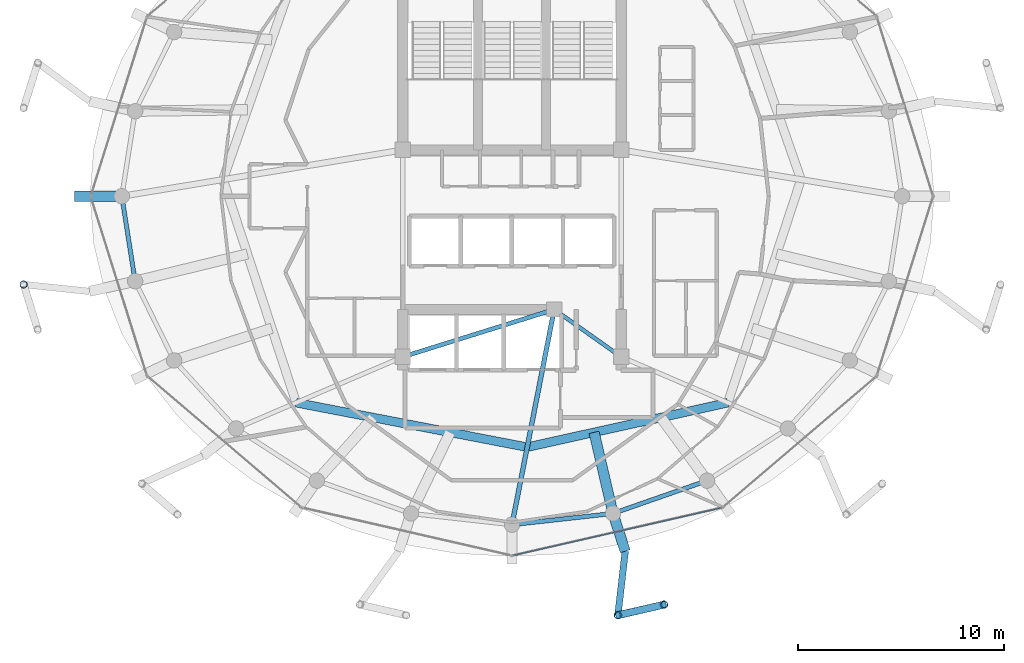
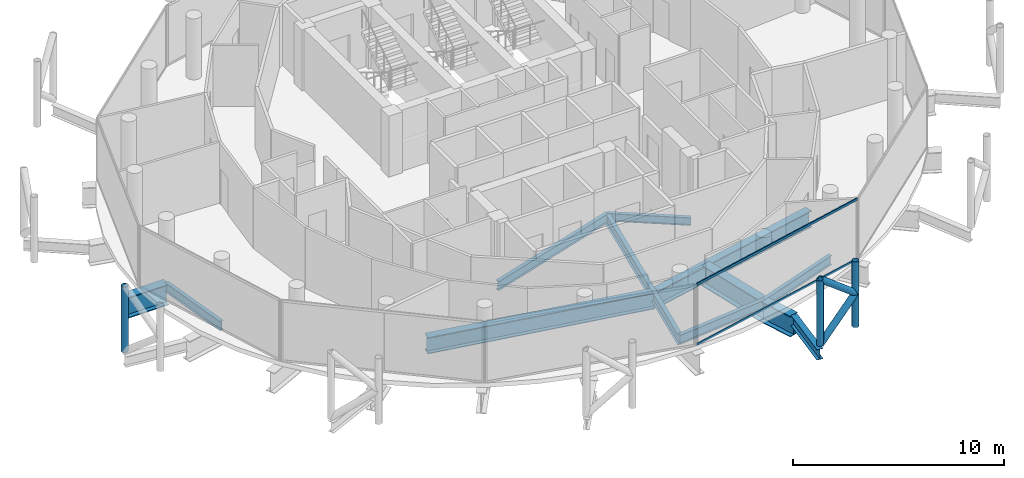
# One storey, part 5 of 25: 12 beams, 7 members, 1 element without a shape of its own.
"""IFC4 building model written with IfcOpenShell, lengths in metres."""

from ifc_helpers import new_model, si_unit, direction, frame, origin, origin_2d, place, context, subcontext, project, spatial, hollow_rectangle, hollow_circle, i_section, extrude, material, layer, layer_set, material_profile, profile_set, type_object, element, aggregate, save


model = new_model("IFC4")

# Units and contexts
model_context = context("Model", 3, precision=1e-05, world=origin(), true_north=direction((0.0, 1.0)))
body_context = subcontext(model_context, "Body", "Model", "MODEL_VIEW")
ifc_project = project(units=[si_unit("LENGTHUNIT", "METRE"), si_unit("AREAUNIT", "SQUARE_METRE"), si_unit("VOLUMEUNIT", "CUBIC_METRE"), si_unit("PLANEANGLEUNIT", "RADIAN"), si_unit("MASSUNIT", "GRAM", prefix="KILO")], contexts=[model_context])

# Site, building, storey
site_placement = place(None, origin())
site = spatial("IfcSite", under=ifc_project, at=site_placement, CompositionType="ELEMENT")
building_placement = place(site_placement, origin())
building = spatial("IfcBuilding", under=site, at=building_placement, Name="Nuhasar Tower", CompositionType="ELEMENT")
storey_placement = place(building_placement, frame((0.0, 0.0, 255.60009765625)))
storey = spatial("IfcBuildingStorey", under=building, at=storey_placement, Name="L63", CompositionType="ELEMENT", Elevation=255.60009765625)

# Beams
ifc_material_1 = material(Name="Steel S355", Category="steel")
ifc_material_profile_1 = material_profile(ifc_material_1, i_section(OverallWidth=0.18994140625, OverallDepth=0.45703125, WebThickness=0.009033203125, FlangeThickness=0.014404296875, at=origin_2d()), Name="W18X50")
ifc_profile_set_1 = profile_set([ifc_material_profile_1], Name="Steel S355")
beam_type_1 = type_object("IfcBeamType", Name="BM-RAD-W18X50", PredefinedType="BEAM", material=ifc_profile_set_1)
beam_1_placement = place(storey_placement, frame((41.050048828125, 21.300048828125, -0.488037109375), z_axis=(0.816265428953, -0.577677028708, 0.0), x_axis=(0.577677028708, 0.816265428953, 0.0)))
element("IfcBeam", 1, at=beam_1_placement, inside=storey, type_object=beam_type_1, Name="L63 Core Ring Girder 2", PredefinedType="BEAM", context=body_context, shape_type="SweptSolid", body=[
    extrude(i_section(OverallWidth=0.18994140625, OverallDepth=0.45703125, WebThickness=0.009033203125, FlangeThickness=0.014404296875, at=origin_2d()), origin(), (0.0, 0.0, 1.0), 3.9814453125),
])
ifc_material_profile_2 = material_profile(ifc_material_1, i_section(OverallWidth=0.208984375, OverallDepth=0.528076171875, WebThickness=0.009521484375, FlangeThickness=0.01318359375, at=origin_2d()), Name="W21X55")
ifc_profile_set_2 = profile_set([ifc_material_profile_2], Name="Steel S355")
beam_type_2 = type_object("IfcBeamType", Name="BM-RAD-W21X55", PredefinedType="BEAM", material=ifc_profile_set_2)
beam_2_placement = place(storey_placement, frame((33.699951171875, 19.0, -0.524169921875), z_axis=(0.954363709454, 0.298646798205, 0.0), x_axis=(-0.298646798205, 0.954363709454, 0.0)))
element("IfcBeam", 2, at=beam_2_placement, inside=storey, type_object=beam_type_2, Name="L63 Core Ring Girder 1", PredefinedType="BEAM", context=body_context, shape_type="SweptSolid", body=[
    extrude(i_section(OverallWidth=0.208984375, OverallDepth=0.528076171875, WebThickness=0.009521484375, FlangeThickness=0.01318359375, at=origin_2d()), origin(), (0.0, 0.0, 1.0), 7.70166015625),
])
ifc_material_profile_3 = material_profile(ifc_material_1, i_section(OverallWidth=0.22900390625, OverallDepth=0.612060546875, WebThickness=0.011962890625, FlangeThickness=0.01953125, at=origin_2d()), Name="W24X84")
ifc_profile_set_3 = profile_set([ifc_material_profile_3], Name="Steel S355")
beam_type_3 = type_object("IfcBeamType", Name="BM-RAD-W24X84", PredefinedType="BEAM", material=ifc_profile_set_3)
beam_3_placement = place(storey_placement, frame((41.050048828125, 21.300048828125, -0.566162109375), z_axis=(-0.192508395576, -0.981295326409, 0.0), x_axis=(0.981295326409, -0.192508395576, 0.0)))
element("IfcBeam", 3, at=beam_3_placement, inside=storey, type_object=beam_type_3, Name="L63 Radial Floor Girder 02", PredefinedType="BEAM", context=body_context, shape_type="SweptSolid", body=[
    extrude(i_section(OverallWidth=0.22900390625, OverallDepth=0.612060546875, WebThickness=0.011962890625, FlangeThickness=0.01953125, at=origin_2d()), origin(), (0.0, 0.0, 1.0), 10.649169921875),
])
ifc_material_profile_4 = material_profile(ifc_material_1, i_section(OverallWidth=0.2099609375, OverallDepth=0.537109375, WebThickness=0.010986328125, FlangeThickness=0.017333984375, at=origin_2d()), Name="W21X68")
ifc_profile_set_4 = profile_set([ifc_material_profile_4], Name="Steel S355")
beam_type_4 = type_object("IfcBeamType", Name="BM-RING-W21X68", PredefinedType="SPANDREL", material=ifc_profile_set_4)
beam_4_placement = place(storey_placement, frame((20.050048828125, 26.800048828125, -0.528076171875), z_axis=(0.154612165232, -0.987975241776, 0.0), x_axis=(0.987975241776, 0.154612165232, 0.0)))
element("IfcBeam", 4, at=beam_4_placement, inside=storey, type_object=beam_type_4, Name="L63 Perimeter Ring Spandrel 13", PredefinedType="SPANDREL", context=body_context, shape_type="SweptSolid", body=[
    extrude(i_section(OverallWidth=0.2099609375, OverallDepth=0.537109375, WebThickness=0.010986328125, FlangeThickness=0.017333984375, at=origin_2d()), origin(), (0.0, 0.0, 1.0), 4.17822265625),
])
beam_5_placement = place(storey_placement, frame((39.0, 10.85009765625, -0.528076171875), z_axis=(0.99392889943, 0.110024283128, 0.0), x_axis=(-0.110024283128, 0.99392889943, 0.0)))
element("IfcBeam", 5, at=beam_5_placement, inside=storey, type_object=beam_type_4, Name="L63 Perimeter Ring Spandrel 19", PredefinedType="SPANDREL", context=body_context, shape_type="SweptSolid", body=[
    extrude(i_section(OverallWidth=0.2099609375, OverallDepth=0.537109375, WebThickness=0.010986328125, FlangeThickness=0.017333984375, at=origin_2d()), origin(), (0.0, 0.0, 1.0), 4.93505859375),
])
beam_6_placement = place(storey_placement, frame((43.905029296875, 11.39306640625, -0.528076171875), z_axis=(0.944214043504, 0.329332415729, 0.0), x_axis=(-0.329332415729, 0.944214043504, 0.0)))
element("IfcBeam", 6, at=beam_6_placement, inside=storey, type_object=beam_type_4, Name="L63 Perimeter Ring Spandrel 20", PredefinedType="SPANDREL", context=body_context, shape_type="SweptSolid", body=[
    extrude(i_section(OverallWidth=0.2099609375, OverallDepth=0.537109375, WebThickness=0.010986328125, FlangeThickness=0.017333984375, at=origin_2d()), origin(), (0.0, 0.0, 1.0), 4.840087890625),
])
ifc_material_profile_5 = material_profile(ifc_material_1, i_section(OverallWidth=0.323974609375, OverallDepth=0.611083984375, WebThickness=0.0126953125, FlangeThickness=0.01904296875, at=origin_2d()), Name="W24X104")
ifc_profile_set_5 = profile_set([ifc_material_profile_5], Name="Steel S355")
beam_type_5 = type_object("IfcBeamType", Name="BM-TIE-W24X104", PredefinedType="BEAM", material=ifc_profile_set_5)
beam_7_placement = place(storey_placement, frame((44.5, 9.55810546875, -0.565185546875), z_axis=(-0.114123371392, -0.993466585297, 0.0), x_axis=(0.993466585297, -0.114123371392, 0.0)))
element("IfcBeam", 7, at=beam_7_placement, inside=storey, type_object=beam_type_5, Name="L63 Exoskeleton Node Tie Beam 10", PredefinedType="BEAM", context=body_context, shape_type="SweptSolid", body=[
    extrude(i_section(OverallWidth=0.323974609375, OverallDepth=0.611083984375, WebThickness=0.0126953125, FlangeThickness=0.01904296875, at=origin_2d()), origin(), (0.0, 0.0, 1.0), 3.127685546875),
])
ifc_material_2 = material(Name="Steel S460", Category="steel")
ifc_material_profile_6 = material_profile(ifc_material_2, i_section(OverallWidth=0.423095703125, OverallDepth=0.947998046875, WebThickness=0.02392578125, FlangeThickness=0.042724609375, at=origin_2d()), Name="W36X302")
ifc_profile_set_6 = profile_set([ifc_material_profile_6], Name="Steel S460")
beam_type_6 = type_object("IfcBeamType", Name="BM-TMD-W36X302", PredefinedType="USERDEFINED", material=ifc_profile_set_6)
beam_8_placement = place(storey_placement, frame((28.51611328125, 16.77392578125, -0.734130859375), z_axis=(0.981944682954, -0.189168283859, 0.0), x_axis=(0.189168283859, 0.981944682954, 0.0)))
element("IfcBeam", 8, at=beam_8_placement, inside=storey, type_object=beam_type_6, Name="L63 Inner Header Beam 01", ObjectType="GIRDER", PredefinedType="USERDEFINED", context=body_context, shape_type="SweptSolid", body=[
    extrude(i_section(OverallWidth=0.423095703125, OverallDepth=0.947998046875, WebThickness=0.02392578125, FlangeThickness=0.042724609375, at=origin_2d()), origin(), (0.0, 0.0, 1.0), 11.42822265625),
])
beam_9_placement = place(storey_placement, frame((39.738037109375, 14.612060546875, -0.734130859375), z_axis=(0.97626927806, 0.216560145726, 0.0), x_axis=(-0.216560145726, 0.97626927806, 0.0)))
element("IfcBeam", 9, at=beam_9_placement, inside=storey, type_object=beam_type_6, Name="L63 Inner Header Beam 02", ObjectType="GIRDER", PredefinedType="USERDEFINED", context=body_context, shape_type="SweptSolid", body=[
    extrude(i_section(OverallWidth=0.423095703125, OverallDepth=0.947998046875, WebThickness=0.02392578125, FlangeThickness=0.042724609375, at=origin_2d()), origin(), (0.0, 0.0, 1.0), 9.982666015625),
])
ifc_material_profile_7 = material_profile(ifc_material_2, i_section(OverallWidth=0.5, OverallDepth=1.199951171875, WebThickness=0.02587890625, FlangeThickness=0.044921875, at=origin_2d()), Name="PG1200X500")
ifc_profile_set_7 = profile_set([ifc_material_profile_7], Name="Steel S460")
beam_type_7 = type_object("IfcBeamType", Name="BM-XFER-PG1200", PredefinedType="USERDEFINED", material=ifc_profile_set_7)
beam_10_placement = place(storey_placement, frame((20.050048828125, 26.800048828125, -0.860107421875), z_axis=(-1.0, 0.0, 0.0), x_axis=(0.0, -1.0, 0.0)))
element("IfcBeam", 10, at=beam_10_placement, inside=storey, type_object=beam_type_7, Name="L63 Radial Step Transfer Girder 08", ObjectType="GIRDER", PredefinedType="USERDEFINED", context=body_context, shape_type="SweptSolid", body=[
    extrude(i_section(OverallWidth=0.5, OverallDepth=1.199951171875, WebThickness=0.02587890625, FlangeThickness=0.044921875, at=origin_2d()), origin(), (0.0, 0.0, 1.0), 2.300048828125),
])
beam_11_placement = place(storey_placement, frame((42.987060546875, 15.3330078125, -0.860107421875), z_axis=(0.226912913484, -0.973915052607, 0.0), x_axis=(0.973915052607, 0.226912913484, 0.0)))
element("IfcBeam", 11, at=beam_11_placement, inside=storey, type_object=beam_type_7, Name="L63 Inner Column Transfer Girder 20", ObjectType="GIRDER", PredefinedType="USERDEFINED", context=body_context, shape_type="SweptSolid", body=[
    extrude(i_section(OverallWidth=0.5, OverallDepth=1.199951171875, WebThickness=0.02587890625, FlangeThickness=0.044921875, at=origin_2d()), origin(), (0.0, 0.0, 1.0), 4.04541015625),
])
beam_12_placement = place(storey_placement, frame((43.905029296875, 11.39306640625, -0.860107421875), z_axis=(0.308433510834, -0.951245903746, 0.0), x_axis=(0.951245903746, 0.308433510834, 0.0)))
element("IfcBeam", 12, at=beam_12_placement, inside=storey, type_object=beam_type_7, Name="L63 Outer Column Step Transfer Girder 20", ObjectType="GIRDER", PredefinedType="USERDEFINED", context=body_context, shape_type="SweptSolid", body=[
    extrude(i_section(OverallWidth=0.5, OverallDepth=1.199951171875, WebThickness=0.02587890625, FlangeThickness=0.044921875, at=origin_2d()), origin(), (0.0, 0.0, 1.0), 1.928955078125),
])

# Curtain wall, members
ifc_material_3 = material(Name="Aluminium 6063-T6", Category="aluminium")
ifc_layer = layer(ifc_material_3, 0.18994140625)
ifc_layer_set = layer_set([ifc_layer], Name="Aluminium 6063-T6")
curtain_wall_type = type_object("IfcCurtainWallType", Name="CW-Z4-PEN", PredefinedType="NOTDEFINED", material=ifc_layer_set)
curtain_wall_placement = place(storey_placement, origin())
curtain_wall = element("IfcCurtainWall", 13, at=curtain_wall_placement, inside=storey, type_object=curtain_wall_type, Name="L63 Unitised Curtain Wall 10", PredefinedType="NOTDEFINED")
ifc_material_profile_8 = material_profile(ifc_material_3, hollow_rectangle(XDim=0.06005859375, YDim=0.135009765625, WallThickness=0.00439453125, at=origin_2d()), Name="CWT-5")
ifc_profile_set_8 = profile_set([ifc_material_profile_8], Name="Aluminium 6063-T6")
member_type_1 = type_object("IfcMemberType", Name="CW-TRN-S5", PredefinedType="USERDEFINED", material=ifc_profile_set_8)
member_1_placement = place(storey_placement, frame((39.05859375, 9.353271484375, 0.02978515625), z_axis=(0.974843752401, 0.222889341163, 0.0), x_axis=(-0.222889341163, 0.974843752401, 0.0)))
member_1 = element("IfcMember", 14, at=member_1_placement, type_object=member_type_1, Name="CW-Z4 transom 1.1", ObjectType="TRANSOM", PredefinedType="USERDEFINED", context=body_context, shape_type="SweptSolid", body=[
    extrude(hollow_rectangle(XDim=0.06005859375, YDim=0.135009765625, WallThickness=0.00439453125, at=origin_2d()), origin(), (0.0, 0.0, 1.0), 10.3740234375),
])
member_2_placement = place(storey_placement, frame((39.05859375, 9.353271484375, 3.510009765625), z_axis=(0.974843752401, 0.222889341163, 0.0), x_axis=(-0.222889341163, 0.974843752401, 0.0)))
member_2 = element("IfcMember", 15, at=member_2_placement, type_object=member_type_1, Name="CW-Z4 transom 1.2", ObjectType="TRANSOM", PredefinedType="USERDEFINED", context=body_context, shape_type="SweptSolid", body=[
    extrude(hollow_rectangle(XDim=0.06005859375, YDim=0.135009765625, WallThickness=0.00439453125, at=origin_2d()), origin(), (0.0, 0.0, 1.0), 10.3740234375),
])
aggregate(curtain_wall, [member_1, member_2])

# Members
ifc_material_profile_9 = material_profile(ifc_material_2, hollow_circle(Radius=0.177734375, WallThickness=0.015869140625, at=origin_2d()), Name="HSS355.6X15.9")
ifc_profile_set_9 = profile_set([ifc_material_profile_9], Name="Steel S460")
member_type_2 = type_object("IfcMemberType", Name="EXO-BRONZE-356", PredefinedType="BRACE", material=ifc_profile_set_9)
for number, where, z_axis, x_axis, name in (
    (16, (15.281982421875, 22.513916015625, 0.0), (0.0, 0.0, 1.0), (1.0, 0.0, 0.0), "L63 Exoskeleton Chord Column EC-07A"),
    (17, (44.14306640625, 6.450927734375, 0.0), (0.0, 0.0, 1.0), (1.0, 0.0, 0.0), "L63 Exoskeleton Chord Column EC-10A"),
    (18, (46.384033203125, 6.967041015625, 0.0), (0.0, 0.0, 1.0), (1.0, 0.0, 0.0), "L63 Exoskeleton Chord Column EC-10B"),
):
    element("IfcMember", number, at=place(storey_placement, frame(where, z_axis=z_axis, x_axis=x_axis)), inside=storey, type_object=member_type_2, Name=name, PredefinedType="BRACE", context=body_context, shape_type="SweptSolid", body=[
        extrude(hollow_circle(Radius=0.177734375, WallThickness=0.015869140625, at=origin_2d()), origin(), (0.0, 0.0, 1.0), 3.7998046875),
    ])
for number, where, z_axis, x_axis, name in (
    (19, (44.14306640625, 6.450927734375, 0.0), (0.751260978137, 0.173021648086, 0.636922642103), (-0.224433035437, 0.97448951385, 0.0), "L63 Bronze Diagrid Brace W1-10"),
    (20, (46.384033203125, 6.967041015625, 1.89990234375), (-0.751260978137, -0.173021648086, 0.636922642103), (0.224433035437, -0.97448951385, 0.0), "L63 Bronze Diagrid Brace W2-10"),
):
    element("IfcMember", number, at=place(storey_placement, frame(where, z_axis=z_axis, x_axis=x_axis)), inside=storey, type_object=member_type_2, Name=name, PredefinedType="BRACE", context=body_context, shape_type="SweptSolid", body=[
        extrude(hollow_circle(Radius=0.177734375, WallThickness=0.015869140625, at=origin_2d()), origin(), (0.0, 0.0, 1.0), 2.98291015625),
    ])

save(model, "model.ifc")
